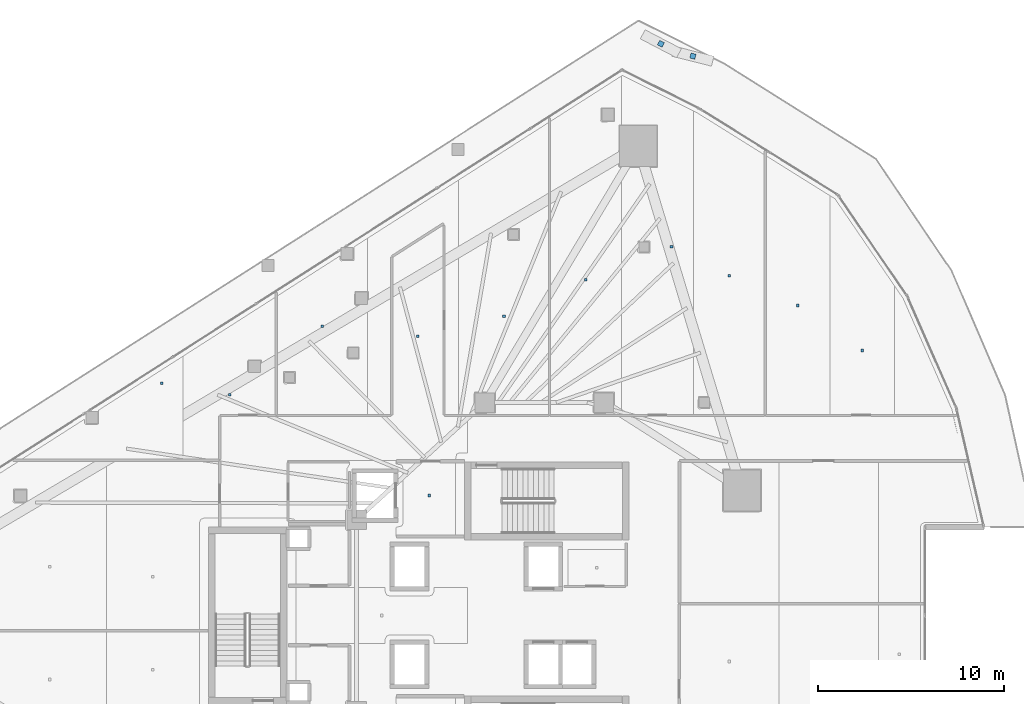
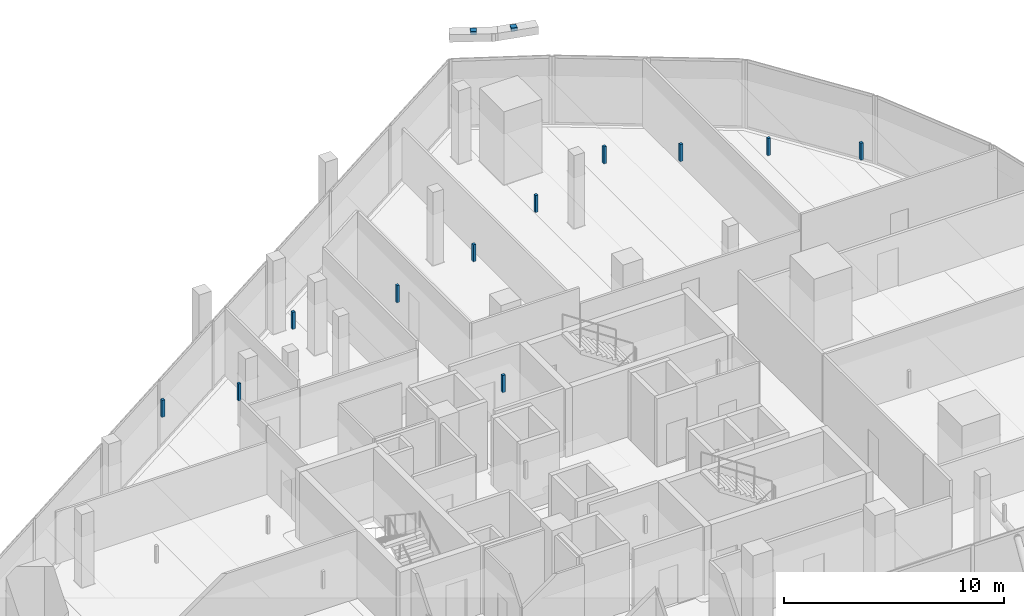
# One storey, part 31 of 38: 13 discrete accessories.
"""IFC4 building model written with IfcOpenShell, lengths in metres."""

from ifc_helpers import new_model, si_unit, direction, frame, origin, origin_2d, place, context, subcontext, project, spatial, rectangle, extrude, material, type_object, element, save


model = new_model("IFC4")

# Units and contexts
model_context = context("Model", 3, precision=1e-05, world=origin(), true_north=direction((0.0, 1.0)))
body_context = subcontext(model_context, "Body", "Model", "MODEL_VIEW")
ifc_project = project(units=[si_unit("LENGTHUNIT", "METRE"), si_unit("AREAUNIT", "SQUARE_METRE"), si_unit("VOLUMEUNIT", "CUBIC_METRE"), si_unit("PLANEANGLEUNIT", "RADIAN"), si_unit("MASSUNIT", "GRAM", prefix="KILO")], contexts=[model_context])

# Site, building, storey
site_placement = place(None, origin())
site = spatial("IfcSite", under=ifc_project, at=site_placement, CompositionType="ELEMENT")
building_placement = place(site_placement, origin())
building = spatial("IfcBuilding", under=site, at=building_placement, Name="Qorvath Tower", CompositionType="ELEMENT")
storey_placement = place(building_placement, frame((0.0, 0.0, 158.39990234375)))
storey = spatial("IfcBuildingStorey", under=building, at=storey_placement, Name="L36", CompositionType="ELEMENT", Elevation=158.39990234375)

# Discrete accessories
ifc_material = material(Name="Galvanised steel bracket", Category="steel")
discrete_accessory_type = type_object("IfcDiscreteAccessoryType", Name="DA-BRACKET", PredefinedType="BRACKET", material=ifc_material)
for number, where, z_axis, x_axis, name in (
    (1, (-12.4091796875, 30.076904296875, 3.64013671875), (0.0, 0.0, 1.0), (-0.969383666808, 0.24555102632, 0.0), "Louvre Wave Support Bracket L36-05"),
    (2, (-14.1328125, 30.74462890625, 3.64013671875), (0.0, 0.0, 1.0), (-0.886699553211, 0.462346085022, 0.0), "Louvre Wave Support Bracket L36-06"),
):
    element("IfcDiscreteAccessory", number, at=place(storey_placement, frame(where, z_axis=z_axis, x_axis=x_axis)), inside=storey, type_object=discrete_accessory_type, Name=name, PredefinedType="NOTDEFINED", context=body_context, shape_type="SweptSolid", body=[
        extrude(rectangle(XDim=0.280029296875, YDim=0.280029296875, at=origin_2d()), origin(), (0.0, 0.0, 1.0), 0.199951171875),
    ])
for number, where, z_axis, x_axis, name in (
    (3, (-26.590087890625, 6.449951171875, 2.85986328125), (0.0, 0.0, 1.0), (1.0, 0.0, 0.0), "Acoustic Ceiling Suspension Hanger T1-L36-001"),
    (4, (-27.198974609375, 15.015380859375, 2.85986328125), (0.0, 0.0, 1.0), (1.0, 0.0, 0.0), "Acoustic Ceiling Suspension Hanger T1-L36-008"),
    (5, (-40.968505859375, 12.486572265625, 2.85986328125), (0.0, 0.0, 1.0), (1.0, 0.0, 0.0), "Acoustic Ceiling Suspension Hanger T1-L36-011"),
    (6, (-37.321044921875, 11.87939453125, 2.85986328125), (0.0, 0.0, 1.0), (1.0, 0.0, 0.0), "Acoustic Ceiling Suspension Hanger T1-L36-012"),
    (7, (-32.350830078125, 15.55810546875, 2.85986328125), (0.0, 0.0, 1.0), (1.0, 0.0, 0.0), "Acoustic Ceiling Suspension Hanger T1-L36-013"),
    (8, (-22.569091796875, 16.088623046875, 2.85986328125), (0.0, 0.0, 1.0), (1.0, 0.0, 0.0), "Acoustic Ceiling Suspension Hanger T1-L36-015"),
    (9, (-18.1767578125, 18.0517578125, 2.85986328125), (0.0, 0.0, 1.0), (1.0, 0.0, 0.0), "Acoustic Ceiling Suspension Hanger T1-L36-016"),
    (10, (-13.559326171875, 19.83935546875, 2.85986328125), (0.0, 0.0, 1.0), (1.0, 0.0, 0.0), "Acoustic Ceiling Suspension Hanger T1-L36-017"),
    (11, (-10.4609375, 18.261474609375, 2.85986328125), (0.0, 0.0, 1.0), (1.0, 0.0, 0.0), "Acoustic Ceiling Suspension Hanger T1-L36-018"),
    (12, (-6.77880859375, 16.6708984375, 2.85986328125), (0.0, 0.0, 1.0), (1.0, 0.0, 0.0), "Acoustic Ceiling Suspension Hanger T1-L36-019"),
    (13, (-3.30859375, 14.248779296875, 2.85986328125), (0.0, 0.0, 1.0), (1.0, 0.0, 0.0), "Acoustic Ceiling Suspension Hanger T1-L36-020"),
):
    element("IfcDiscreteAccessory", number, at=place(storey_placement, frame(where, z_axis=z_axis, x_axis=x_axis)), inside=storey, type_object=discrete_accessory_type, Name=name, PredefinedType="NOTDEFINED", context=body_context, shape_type="SweptSolid", body=[
        extrude(rectangle(XDim=0.139892578125, YDim=0.139892578125, at=origin_2d()), origin(), (0.0, 0.0, 1.0), 0.949951171875),
    ])

save(model, "model.ifc")
